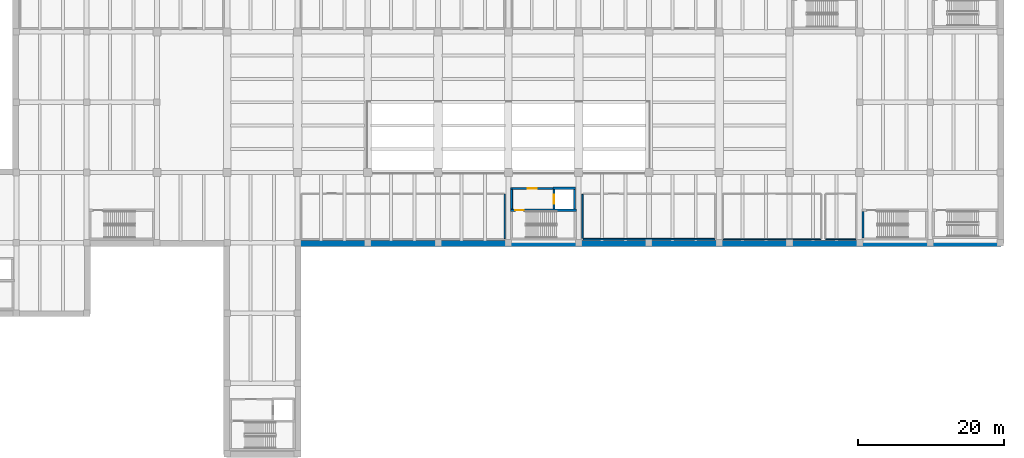
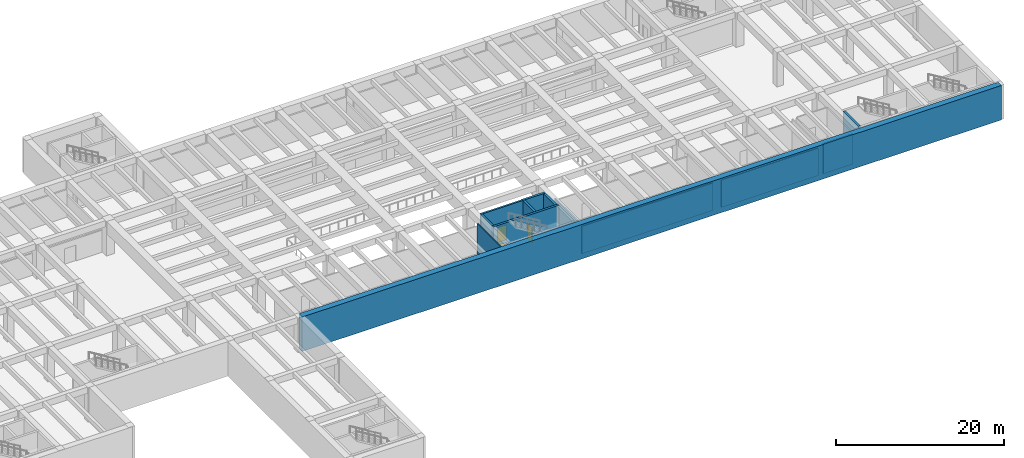
# One storey, part 6 of 19: 13 walls, 3 doors, 3 openings.
"""IFC4 building model written with IfcOpenShell, lengths in metres."""

from ifc_helpers import new_model, si_unit, direction, frame, frame_2d, origin, place, context, subcontext, project, spatial, rectangle, extrude, material, layer, layer_set, type_object, element, fill, save


model = new_model("IFC4")

# Units and contexts
model_context = context("Model", 3, precision=1e-05, world=origin(), true_north=direction((0.0, 1.0)))
body_context = subcontext(model_context, "Body", "Model", "MODEL_VIEW")
ifc_project = project(units=[si_unit("LENGTHUNIT", "METRE"), si_unit("AREAUNIT", "SQUARE_METRE"), si_unit("VOLUMEUNIT", "CUBIC_METRE"), si_unit("PLANEANGLEUNIT", "RADIAN"), si_unit("MASSUNIT", "GRAM", prefix="KILO")], contexts=[model_context])

# Site, building, storey
site_placement = place(None, origin())
site = spatial("IfcSite", under=ifc_project, at=site_placement, CompositionType="ELEMENT")
building_placement = place(site_placement, origin())
building = spatial("IfcBuilding", under=site, at=building_placement, Name="Coralgate Yard Interchange", CompositionType="ELEMENT")
storey_placement = place(building_placement, frame((0.0, 0.0, -5.39990234375)))
storey = spatial("IfcBuildingStorey", under=building, at=storey_placement, Name="B1", CompositionType="ELEMENT", Elevation=-5.39990234375)

# Wall
ifc_material_1 = material(Name="Concrete C40/50", Category="concrete")
ifc_layer_1 = layer(ifc_material_1, 0.300048828125)
ifc_layer_set_1 = layer_set([ifc_layer_1], Name="Concrete C40/50")
wall_type_1 = type_object("IfcWallType", Name="WAL-CW300", PredefinedType="SHEAR", material=ifc_layer_set_1)
wall_1_placement = place(storey_placement, frame((134.85009765625, 39.050048828125, 0.0), z_axis=(0.0, 0.0, 1.0), x_axis=(0.0, 1.0, 0.0)))
element("IfcWall", 1, at=wall_1_placement, inside=storey, type_object=wall_type_1, Name="C13 B1 stair west shear wall", PredefinedType="SHEAR", context=body_context, shape_type="SweptSolid", body=[
    extrude(rectangle(XDim=3.64990234375, YDim=0.300048828125, at=frame_2d((1.824951171875, 0.0))), origin(), (0.0, 0.0, 1.0), 5.0),
])

# Wall, opening, door
wall_2_placement = place(storey_placement, frame((95.699951171875, 42.85009765625, 0.0), z_axis=(0.0, 0.0, 1.0), x_axis=(-1.0, 0.0, 0.0)))
wall_2 = element("IfcWall", 2, at=wall_2_placement, inside=storey, type_object=wall_type_1, Name="C6 B1 stair north shear wall", PredefinedType="SHEAR", context=body_context, shape_type="SweptSolid", body=[
    extrude(rectangle(XDim=9.0, YDim=0.300048828125, at=frame_2d((4.5, 0.0))), origin(), (0.0, 0.0, 1.0), 5.0),
])
opening_1_placement = place(wall_2_placement, frame((7.199951171875, 0.0, 0.0)))
opening_1 = element("IfcOpeningElement", 3, at=opening_1_placement, cuts=wall_2, Name="Opening FD-1B", PredefinedType="OPENING", context=body_context, shape_type="SweptSolid", body=[
    extrude(rectangle(XDim=1.14990234375, YDim=2.14990234375, at=frame_2d((0.574951171875, 1.074951171875))), frame((0.0, 0.159912109375, 0.0), z_axis=(0.0, -1.0, 0.0), x_axis=(1.0, 0.0, 0.0)), (0.0, 0.0, 1.0), 0.320068359375),
])
ifc_material_2 = material(Name="Powder-coated steel fire door assembly", Category="steel")
door_type_1 = type_object("IfcDoorType", Name="DOR-FD-1B", OperationType="NOTDEFINED", PredefinedType="DOOR", material=ifc_material_2)
door_1_placement = place(opening_1_placement, frame((1.14990234375, 0.0, 0.0), z_axis=(0.0, 0.0, 1.0), x_axis=(-1.0, 0.0, 0.0)))
door_1 = element("IfcDoor", 4, at=door_1_placement, inside=storey, type_object=door_type_1, Name="C6 B1 stair fire door", OperationType="SINGLE_SWING_LEFT", OverallHeight=2.14990234375, OverallWidth=1.14990234375, PredefinedType="DOOR", context=body_context, shape_type="SweptSolid", body=[
    extrude(rectangle(XDim=1.14990234375, YDim=2.14990234375, at=frame_2d((0.574951171875, 1.074951171875))), frame((0.0, 0.02490234375, 0.0), z_axis=(0.0, -1.0, 0.0), x_axis=(1.0, 0.0, 0.0)), (0.0, 0.0, 1.0), 0.050048828125),
])
fill(opening_1, door_1)

wall_3_placement = place(storey_placement, frame((92.64990234375, 45.699951171875, 0.0), z_axis=(0.0, 0.0, 1.0), x_axis=(0.0, -1.0, 0.0)))
wall_3 = element("IfcWall", 5, at=wall_3_placement, inside=storey, type_object=wall_type_1, Name="C6 B1 lift front shear wall", PredefinedType="SHEAR", context=body_context, shape_type="SweptSolid", body=[
    extrude(rectangle(XDim=2.699951171875, YDim=0.300048828125, at=frame_2d((1.35009765625, 0.0))), origin(), (0.0, 0.0, 1.0), 5.0),
])
opening_2_placement = place(wall_3_placement, frame((0.739990234375, 0.0, 0.0)))
opening_2 = element("IfcOpeningElement", 6, at=opening_2_placement, cuts=wall_3, Name="Opening LD-3", PredefinedType="OPENING", context=body_context, shape_type="SweptSolid", body=[
    extrude(rectangle(XDim=1.219970703125, YDim=2.14990234375, at=frame_2d((0.60986328125, 1.074951171875))), frame((0.0, 0.159912109375, 0.0), z_axis=(0.0, -1.0, 0.0), x_axis=(1.0, 0.0, 0.0)), (0.0, 0.0, 1.0), 0.320068359375),
])
ifc_material_3 = material(Name="Brushed stainless steel concourse lift landing door", Category="steel")
door_type_2 = type_object("IfcDoorType", Name="DOR-LD-3", OperationType="DOUBLE_DOOR_SLIDING", PredefinedType="DOOR", material=ifc_material_3)
door_2_placement = place(opening_2_placement, frame((1.219970703125, 0.0, 0.0), z_axis=(0.0, 0.0, 1.0), x_axis=(-1.0, 0.0, 0.0)))
door_2 = element("IfcDoor", 7, at=door_2_placement, inside=storey, type_object=door_type_2, Name="LF-04 B1 sliding lift landing door", OperationType="DOUBLE_DOOR_SLIDING", OverallHeight=2.14990234375, OverallWidth=1.219970703125, PredefinedType="DOOR", context=body_context, shape_type="SweptSolid", body=[
    extrude(rectangle(XDim=1.219970703125, YDim=2.14990234375, at=frame_2d((0.60986328125, 1.074951171875))), frame((0.0, 0.02490234375, 0.0), z_axis=(0.0, -1.0, 0.0), x_axis=(1.0, 0.0, 0.0)), (0.0, 0.0, 1.0), 0.050048828125),
])
fill(opening_2, door_2)

# Walls
wall_4_placement = place(storey_placement, frame((95.449951171875, 43.0, 0.0), z_axis=(0.0, 0.0, 1.0), x_axis=(0.0, 1.0, 0.0)))
element("IfcWall", 8, at=wall_4_placement, inside=storey, type_object=wall_type_1, Name="C6 B1 lift rear shear wall", PredefinedType="SHEAR", context=body_context, shape_type="SweptSolid", body=[
    extrude(rectangle(XDim=2.699951171875, YDim=0.300048828125, at=frame_2d((1.35009765625, 0.0))), origin(), (0.0, 0.0, 1.0), 5.0),
])
wall_5_placement = place(storey_placement, frame((92.5, 45.85009765625, 0.0), z_axis=(0.0, 0.0, 1.0), x_axis=(1.0, 0.0, 0.0)))
element("IfcWall", 9, at=wall_5_placement, inside=storey, type_object=wall_type_1, Name="C6 B1 lift north shear wall", PredefinedType="SHEAR", context=body_context, shape_type="SweptSolid", body=[
    extrude(rectangle(XDim=3.10009765625, YDim=0.300048828125, at=frame_2d((1.550048828125, 0.0))), origin(), (0.0, 0.0, 1.0), 5.0),
])
ifc_layer_2 = layer(ifc_material_1, 0.800048828125)
ifc_layer_set_2 = layer_set([ifc_layer_2], Name="Concrete C40/50")
wall_type_2 = type_object("IfcWallType", Name="WAL-DW800", PredefinedType="SOLIDWALL", material=ifc_layer_set_2)
wall_6_placement = place(storey_placement, frame((153.699951171875, 38.300048828125, 0.0), z_axis=(0.0, 0.0, 1.0), x_axis=(-1.0, 0.0, 0.0)))
element("IfcWall", 10, at=wall_6_placement, inside=storey, type_object=wall_type_2, Name="B1 diaphragm retaining wall 13", PredefinedType="SOLIDWALL", context=body_context, shape_type="SweptSolid", body=[
    extrude(rectangle(XDim=96.0, YDim=0.800048828125, at=frame_2d((48.0, 0.0))), origin(), (0.0, 0.0, 1.0), 5.0),
])
ifc_material_4 = material(Name="Moisture-resistant masonry washroom wall", Category="masonry")
ifc_layer_3 = layer(ifc_material_4, 0.14990234375)
ifc_layer_set_3 = layer_set([ifc_layer_3], Name="Moisture-resistant masonry washroom wall")
wall_type_3 = type_object("IfcWallType", Name="WAL-PW-150", PredefinedType="PLUMBINGWALL", material=ifc_layer_set_3)
wall_7_placement = place(storey_placement, frame((129.050048828125, 38.875, 0.0), z_axis=(0.0, 0.0, 1.0), x_axis=(-1.0, 0.0, 0.0)))
element("IfcWall", 11, at=wall_7_placement, inside=storey, type_object=wall_type_3, Name="B1 Public Washrooms partition S", PredefinedType="PLUMBINGWALL", context=body_context, shape_type="SweptSolid", body=[
    extrude(rectangle(XDim=13.300048828125, YDim=0.14990234375, at=frame_2d((6.64990234375, 0.0))), origin(), (0.0, 0.0, 1.0), 3.989990234375),
])
wall_8_placement = place(storey_placement, frame((133.85009765625, 38.875, 0.0), z_axis=(0.0, 0.0, 1.0), x_axis=(-1.0, 0.0, 0.0)))
element("IfcWall", 12, at=wall_8_placement, inside=storey, type_object=wall_type_3, Name="B1 Accessible WC partition S", PredefinedType="PLUMBINGWALL", context=body_context, shape_type="SweptSolid", body=[
    extrude(rectangle(XDim=4.10009765625, YDim=0.14990234375, at=frame_2d((2.050048828125, 0.0))), origin(), (0.0, 0.0, 1.0), 4.3798828125),
])
ifc_material_5 = material(Name="Fire-rated twin-stud gypsum partition")
ifc_layer_4 = layer(ifc_material_5, 0.159912109375)
ifc_layer_set_4 = layer_set([ifc_layer_4], Name="Fire-rated twin-stud gypsum partition")
wall_type_4 = type_object("IfcWallType", Name="WAL-PW-160", PredefinedType="PARTITIONING", material=ifc_layer_set_4)
wall_9_placement = place(storey_placement, frame((85.919921875, 45.0400390625, 0.0), z_axis=(0.0, 0.0, 1.0), x_axis=(0.0, -1.0, 0.0)))
element("IfcWall", 13, at=wall_9_placement, inside=storey, type_object=wall_type_4, Name="Fare Gateline Control Office partition E", PredefinedType="PARTITIONING", context=body_context, shape_type="SweptSolid", body=[
    extrude(rectangle(XDim=6.080078125, YDim=0.159912109375, at=frame_2d((3.0400390625, 0.0))), origin(), (0.0, 0.0, 1.0), 4.3798828125),
])
ifc_material_6 = material(Name="Concrete blockwork masonry", Category="masonry")
ifc_layer_5 = layer(ifc_material_6, 0.199951171875)
ifc_layer_set_5 = layer_set([ifc_layer_5], Name="Concrete blockwork masonry")
wall_type_5 = type_object("IfcWallType", Name="WAL-PW-200", PredefinedType="PARTITIONING", material=ifc_layer_set_5)
wall_10_placement = place(storey_placement, frame((114.60009765625, 38.89990234375, 0.0), z_axis=(0.0, 0.0, 1.0), x_axis=(-1.0, 0.0, 0.0)))
element("IfcWall", 14, at=wall_10_placement, inside=storey, type_object=wall_type_5, Name="Station Maintenance Store partition S", PredefinedType="PARTITIONING", context=body_context, shape_type="SweptSolid", body=[
    extrude(rectangle(XDim=18.0, YDim=0.199951171875, at=frame_2d((9.0, 0.0))), origin(), (0.0, 0.0, 1.0), 3.989990234375),
])
wall_11_placement = place(storey_placement, frame((96.5, 39.0, 0.0), z_axis=(0.0, 0.0, 1.0), x_axis=(0.0, 1.0, 0.0)))
element("IfcWall", 15, at=wall_11_placement, inside=storey, type_object=wall_type_5, Name="Station Maintenance Store partition W", PredefinedType="PARTITIONING", context=body_context, shape_type="SweptSolid", body=[
    extrude(rectangle(XDim=6.0, YDim=0.199951171875, at=frame_2d((3.0, 0.0))), origin(), (0.0, 0.0, 1.0), 4.3798828125),
])

# Wall, opening, door
ifc_layer_6 = layer(ifc_material_1, 0.25)
ifc_layer_set_6 = layer_set([ifc_layer_6], Name="Concrete C40/50")
wall_type_6 = type_object("IfcWallType", Name="WAL-SW250", PredefinedType="SHEAR", material=ifc_layer_set_6)
wall_12_placement = place(storey_placement, frame((92.5, 45.824951171875, 0.0), z_axis=(0.0, 0.0, 1.0), x_axis=(-1.0, 0.0, 0.0)))
wall_12 = element("IfcWall", 16, at=wall_12_placement, inside=storey, type_object=wall_type_6, Name="C6 B1 lobby north fire wall", PredefinedType="SHEAR", context=body_context, shape_type="SweptSolid", body=[
    extrude(rectangle(XDim=5.77490234375, YDim=0.25, at=frame_2d((2.887451171875, 0.0))), origin(), (0.0, 0.0, 1.0), 5.0),
])
opening_3_placement = place(wall_12_placement, frame((2.199951171875, 0.0, 0.0)))
opening_3 = element("IfcOpeningElement", 17, at=opening_3_placement, cuts=wall_12, Name="Opening FD-2B", PredefinedType="OPENING", context=body_context, shape_type="SweptSolid", body=[
    extrude(rectangle(XDim=1.280029296875, YDim=2.199951171875, at=frame_2d((0.64013671875, 1.10009765625))), frame((0.0, 0.135009765625, 0.0), z_axis=(0.0, -1.0, 0.0), x_axis=(1.0, 0.0, 0.0)), (0.0, 0.0, 1.0), 0.27001953125),
])
door_type_3 = type_object("IfcDoorType", Name="DOR-FD-2B", OperationType="NOTDEFINED", PredefinedType="DOOR", material=ifc_material_2)
door_3_placement = place(opening_3_placement, origin())
door_3 = element("IfcDoor", 18, at=door_3_placement, inside=storey, type_object=door_type_3, Name="C6 B1 lobby fire door", OperationType="SINGLE_SWING_RIGHT", OverallHeight=2.199951171875, OverallWidth=1.280029296875, PredefinedType="DOOR", context=body_context, shape_type="SweptSolid", body=[
    extrude(rectangle(XDim=1.280029296875, YDim=2.199951171875, at=frame_2d((0.64013671875, 1.10009765625))), frame((0.0, 0.02490234375, 0.0), z_axis=(0.0, -1.0, 0.0), x_axis=(1.0, 0.0, 0.0)), (0.0, 0.0, 1.0), 0.050048828125),
])
fill(opening_3, door_3)

# Wall
wall_13_placement = place(storey_placement, frame((86.85009765625, 43.0, 0.0), z_axis=(0.0, 0.0, 1.0), x_axis=(0.0, 1.0, 0.0)))
element("IfcWall", 19, at=wall_13_placement, inside=storey, type_object=wall_type_6, Name="C6 B1 lobby west fire wall", PredefinedType="SHEAR", context=body_context, shape_type="SweptSolid", body=[
    extrude(rectangle(XDim=2.699951171875, YDim=0.25, at=frame_2d((1.35009765625, 0.0))), origin(), (0.0, 0.0, 1.0), 5.0),
])

save(model, "model.ifc")
